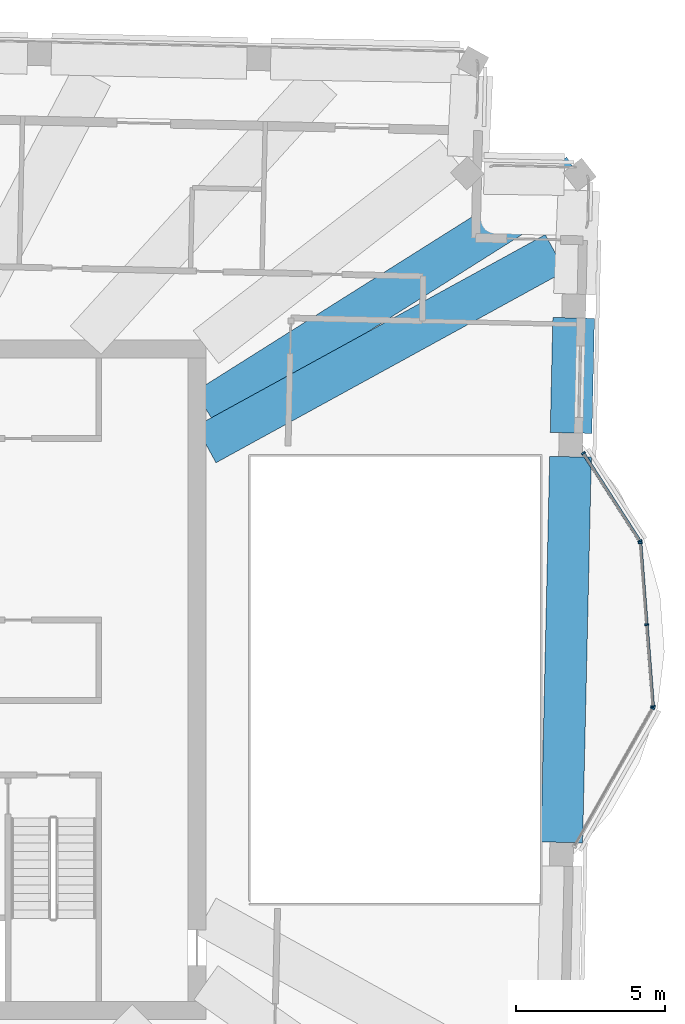
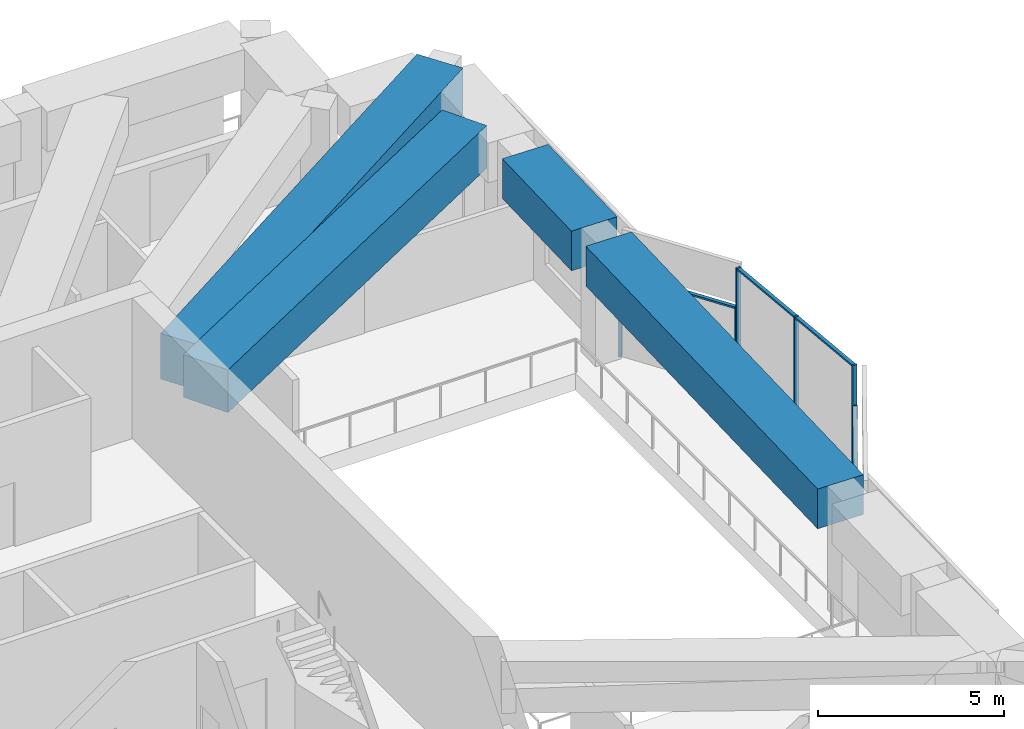
# One storey, part 6 of 19: 9 members, 4 beams, 3 elements without a shape of their own.
"""IFC4 building model written with IfcOpenShell, lengths in metres."""

from ifc_helpers import new_model, si_unit, direction, frame, origin, origin_2d, place, context, subcontext, project, spatial, rectangle, extrude, material, material_profile, profile_set, type_object, element, aggregate, save


model = new_model("IFC4")

# Units and contexts
model_context = context("Model", 3, precision=1e-05, world=origin(), true_north=direction((0.0, 1.0)))
body_context = subcontext(model_context, "Body", "Model", "MODEL_VIEW")
ifc_project = project(units=[si_unit("LENGTHUNIT", "METRE"), si_unit("AREAUNIT", "SQUARE_METRE"), si_unit("VOLUMEUNIT", "CUBIC_METRE"), si_unit("PLANEANGLEUNIT", "RADIAN"), si_unit("MASSUNIT", "GRAM", prefix="KILO")], contexts=[model_context])

# Site, building, storey
site_placement = place(None, origin())
site = spatial("IfcSite", under=ifc_project, at=site_placement, CompositionType="ELEMENT")
building_placement = place(site_placement, origin())
building = spatial("IfcBuilding", under=site, at=building_placement, Name="Mangrove Gate Tower", CompositionType="ELEMENT")
storey_placement = place(building_placement, frame((0.0, 0.0, 346.10009765625)))
storey = spatial("IfcBuildingStorey", under=building, at=storey_placement, Name="L88", CompositionType="ELEMENT", Elevation=346.10009765625)

# Curtain wall, member
ifc_material_1 = material(Name="Aluminium and glass curtain wall", Category="aluminium")
curtain_wall_type = type_object("IfcCurtainWallType", Name="Crown garden glazing wall", PredefinedType="NOTDEFINED", material=ifc_material_1)
curtain_wall_1_placement = place(storey_placement, origin())
curtain_wall_1 = element("IfcCurtainWall", 1, at=curtain_wall_1_placement, inside=storey, type_object=curtain_wall_type, Name="Crown garden glazing E1f1", PredefinedType="NOTDEFINED")
ifc_material_2 = material(Name="Aluminium alloy 6063-T6", Category="aluminium")
ifc_material_profile_1 = material_profile(ifc_material_2, rectangle(XDim=0.06005859375, YDim=0.139892578125, at=origin_2d()))
ifc_profile_set_1 = profile_set([ifc_material_profile_1], Name="Aluminium alloy 6063-T6")
member_type_1 = type_object("IfcMemberType", Name="Crown garden glazing mullion 60x140", PredefinedType="MULLION", material=ifc_profile_set_1)
member_1_placement = place(storey_placement, frame((29.396484375, -0.95361328125, 0.0), z_axis=(0.0, 0.0, 1.0), x_axis=(0.49256575687, 0.870275229545, 0.0)))
member_1 = element("IfcMember", 2, at=member_1_placement, type_object=member_type_1, Name="CWC mullion 2", PredefinedType="MULLION", context=body_context, shape_type="SweptSolid", body=[
    extrude(rectangle(XDim=0.06005859375, YDim=0.139892578125, at=origin_2d()), origin(), (0.0, 0.0, 1.0), 2.75),
])
aggregate(curtain_wall_1, [member_1])

# Curtain wall, members
curtain_wall_2_placement = place(storey_placement, origin())
curtain_wall_2 = element("IfcCurtainWall", 3, at=curtain_wall_2_placement, inside=storey, type_object=curtain_wall_type, Name="Crown garden glazing E1f2", PredefinedType="NOTDEFINED")
member_2_placement = place(storey_placement, frame((29.408935546875, -0.897705078125, 0.0), z_axis=(0.0, 0.0, 1.0), x_axis=(-0.077023348386, 0.997029289341, 0.0)))
member_2 = element("IfcMember", 4, at=member_2_placement, type_object=member_type_1, Name="CWC mullion 1", PredefinedType="MULLION", context=body_context, shape_type="SweptSolid", body=[
    extrude(rectangle(XDim=0.06005859375, YDim=0.139892578125, at=origin_2d()), origin(), (0.0, 0.0, 1.0), 4.0498046875),
])
member_3_placement = place(storey_placement, frame((29.196533203125, 1.850830078125, 0.0), z_axis=(0.0, 0.0, 1.0), x_axis=(-0.077023348386, 0.997029289341, 0.0)))
member_3 = element("IfcMember", 5, at=member_3_placement, type_object=member_type_1, Name="CWC mullion 2", PredefinedType="MULLION", context=body_context, shape_type="SweptSolid", body=[
    extrude(rectangle(XDim=0.06005859375, YDim=0.139892578125, at=origin_2d()), origin(), (0.0, 0.0, 1.0), 4.0498046875),
])
member_4_placement = place(storey_placement, frame((28.984130859375, 4.599365234375, 0.0), z_axis=(0.0, 0.0, 1.0), x_axis=(-0.077023348386, 0.997029289341, 0.0)))
member_4 = element("IfcMember", 6, at=member_4_placement, type_object=member_type_1, Name="CWC mullion 3", PredefinedType="MULLION", context=body_context, shape_type="SweptSolid", body=[
    extrude(rectangle(XDim=0.06005859375, YDim=0.139892578125, at=origin_2d()), origin(), (0.0, 0.0, 1.0), 4.0498046875),
])

curtain_wall_3_placement = place(storey_placement, origin())
curtain_wall_3 = element("IfcCurtainWall", 7, at=curtain_wall_3_placement, inside=storey, type_object=curtain_wall_type, Name="Crown garden glazing E1f3", PredefinedType="NOTDEFINED")
member_5_placement = place(storey_placement, frame((28.965576171875, 4.654541015625, 0.0), z_axis=(0.0, 0.0, 1.0), x_axis=(-0.540496129899, 0.841346500299, 0.0)))
member_5 = element("IfcMember", 8, at=member_5_placement, type_object=member_type_1, Name="CWC mullion 1", PredefinedType="MULLION", context=body_context, shape_type="SweptSolid", body=[
    extrude(rectangle(XDim=0.06005859375, YDim=0.139892578125, at=origin_2d()), origin(), (0.0, 0.0, 1.0), 2.75),
])
member_6_placement = place(storey_placement, frame((27.069580078125, 7.60595703125, 0.0), z_axis=(0.0, 0.0, 1.0), x_axis=(-0.540496129899, 0.841346500299, 0.0)))
member_6 = element("IfcMember", 9, at=member_6_placement, type_object=member_type_1, Name="CWC mullion 2", PredefinedType="MULLION", context=body_context, shape_type="SweptSolid", body=[
    extrude(rectangle(XDim=0.06005859375, YDim=0.139892578125, at=origin_2d()), origin(), (0.0, 0.0, 1.0), 2.75),
])

# Member
ifc_material_3 = material(Name="Aluminium alloy 6063-T6", Category="aluminium")
ifc_material_profile_2 = material_profile(ifc_material_3, rectangle(XDim=0.06005859375, YDim=0.110107421875, at=origin_2d()))
ifc_profile_set_2 = profile_set([ifc_material_profile_2], Name="Aluminium alloy 6063-T6")
member_type_2 = type_object("IfcMemberType", Name="Crown garden glazing transom 60x110", PredefinedType="USERDEFINED", material=ifc_profile_set_2)
member_7_placement = place(storey_placement, frame((29.406494140625, -0.86767578125, 4.02001953125), z_axis=(-0.076952650158, 0.997034748458, 0.0), x_axis=(0.0, 0.0, 1.0)))
member_7 = element("IfcMember", 10, at=member_7_placement, type_object=member_type_2, Name="CWC transom 1.2", ObjectType="TRANSOM", PredefinedType="USERDEFINED", context=body_context, shape_type="SweptSolid", body=[
    extrude(rectangle(XDim=0.06005859375, YDim=0.110107421875, at=origin_2d()), origin(), (0.0, 0.0, 1.0), 2.69677734375),
])

member_8_placement = place(storey_placement, frame((29.1943359375, 1.880859375, 4.02001953125), z_axis=(-0.077042645639, 0.997027798385, 0.0), x_axis=(0.0, 0.0, 1.0)))
member_8 = element("IfcMember", 11, at=member_8_placement, type_object=member_type_2, Name="CWC transom 2.2", ObjectType="TRANSOM", PredefinedType="USERDEFINED", context=body_context, shape_type="SweptSolid", body=[
    extrude(rectangle(XDim=0.06005859375, YDim=0.110107421875, at=origin_2d()), origin(), (0.0, 0.0, 1.0), 2.69677734375),
])

aggregate(curtain_wall_2, [member_2, member_3, member_4, member_7, member_8])

member_9_placement = place(storey_placement, frame((28.949462890625, 4.6796875, 2.719970703125), z_axis=(-0.540453376302, 0.841373964444, 0.0), x_axis=(0.0, 0.0, 1.0)))
member_9 = element("IfcMember", 12, at=member_9_placement, type_object=member_type_2, Name="CWC transom 1.2", ObjectType="TRANSOM", PredefinedType="USERDEFINED", context=body_context, shape_type="SweptSolid", body=[
    extrude(rectangle(XDim=0.06005859375, YDim=0.110107421875, at=origin_2d()), origin(), (0.0, 0.0, 1.0), 3.447998046875),
])

aggregate(curtain_wall_3, [member_5, member_6, member_9])

# Beams
ifc_material_4 = material(Name="Concrete C50/60", Category="concrete")
ifc_material_profile_3 = material_profile(ifc_material_4, rectangle(XDim=1.39990234375, YDim=1.300048828125, at=origin_2d()))
ifc_profile_set_3 = profile_set([ifc_material_profile_3], Name="Concrete C50/60")
beam_type_1 = type_object("IfcBeamType", Name="Transfer girder RC 1400x1300 C50/60", PredefinedType="BEAM", material=ifc_profile_set_3)
beam_1_placement = place(storey_placement, frame((26.34619140625, -5.4609375, 3.39990234375), z_axis=(0.022697852467, 0.99974237056, 0.0), x_axis=(-0.99974237056, 0.022697852467, 0.0)))
element("IfcBeam", 13, at=beam_1_placement, inside=storey, type_object=beam_type_1, Name="Transfer ring girder L88 14", PredefinedType="BEAM", context=body_context, shape_type="SweptSolid", body=[
    extrude(rectangle(XDim=1.39990234375, YDim=1.300048828125, at=origin_2d()), origin(), (0.0, 0.0, 1.0), 12.950439453125),
])
beam_2_placement = place(storey_placement, frame((26.658203125, 8.285888671875, 3.39990234375), z_axis=(0.022503151924, 0.999746772015, 0.0), x_axis=(-0.999746772015, 0.022503151924, 0.0)))
element("IfcBeam", 14, at=beam_2_placement, inside=storey, type_object=beam_type_1, Name="Transfer ring girder L88 15", PredefinedType="BEAM", context=body_context, shape_type="SweptSolid", body=[
    extrude(rectangle(XDim=1.39990234375, YDim=1.300048828125, at=origin_2d()), origin(), (0.0, 0.0, 1.0), 3.8623046875),
])
ifc_material_5 = material(Name="Concrete C50/60", Category="concrete")
ifc_material_profile_4 = material_profile(ifc_material_5, rectangle(XDim=1.39990234375, YDim=1.39990234375, at=origin_2d()))
ifc_profile_set_4 = profile_set([ifc_material_profile_4], Name="Concrete C50/60")
beam_type_2 = type_object("IfcBeamType", Name="Transfer girder RC 1400x1400 C50/60", PredefinedType="BEAM", material=ifc_profile_set_4)
beam_3_placement = place(storey_placement, frame((14.39990234375, 7.898193359375, 3.349853515625), z_axis=(0.87677517645, 0.480900499024, 0.0), x_axis=(-0.480900499024, 0.87677517645, 0.0)))
element("IfcBeam", 15, at=beam_3_placement, inside=storey, type_object=beam_type_2, Name="Transfer girder L88 14", PredefinedType="BEAM", context=body_context, shape_type="SweptSolid", body=[
    extrude(rectangle(XDim=1.39990234375, YDim=1.39990234375, at=origin_2d()), origin(), (0.0, 0.0, 1.0), 13.377685546875),
])
ifc_material_6 = material(Name="Concrete C50/60", Category="concrete")
ifc_material_profile_5 = material_profile(ifc_material_6, rectangle(XDim=1.39990234375, YDim=1.5, at=origin_2d()))
ifc_profile_set_5 = profile_set([ifc_material_profile_5], Name="Concrete C50/60")
beam_type_3 = type_object("IfcBeamType", Name="Transfer girder RC 1400x1500 C50/60", PredefinedType="BEAM", material=ifc_profile_set_5)
beam_4_placement = place(storey_placement, frame((14.39990234375, 9.080810546875, 3.2998046875), z_axis=(0.845858928018, 0.533406668399, 0.0), x_axis=(-0.533406668399, 0.845858928018, 0.0)))
element("IfcBeam", 16, at=beam_4_placement, inside=storey, type_object=beam_type_3, Name="Transfer girder L88 15", PredefinedType="BEAM", context=body_context, shape_type="SweptSolid", body=[
    extrude(rectangle(XDim=1.39990234375, YDim=1.5, at=origin_2d()), origin(), (0.0, 0.0, 1.0), 14.7607421875),
])

save(model, "model.ifc")
